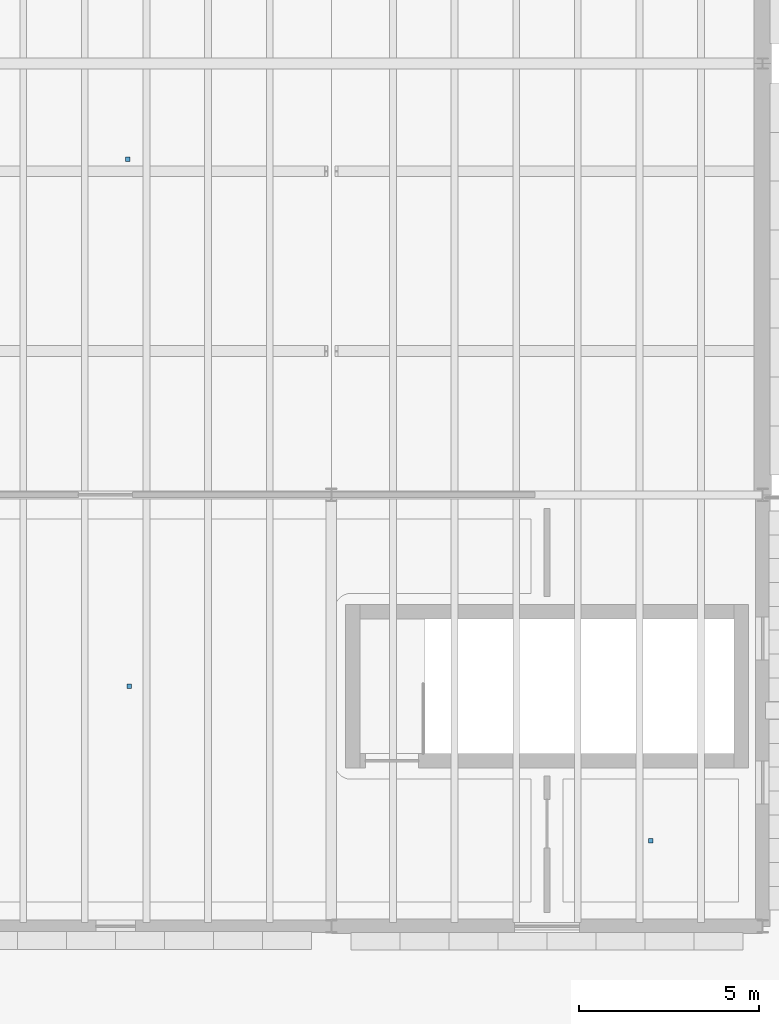
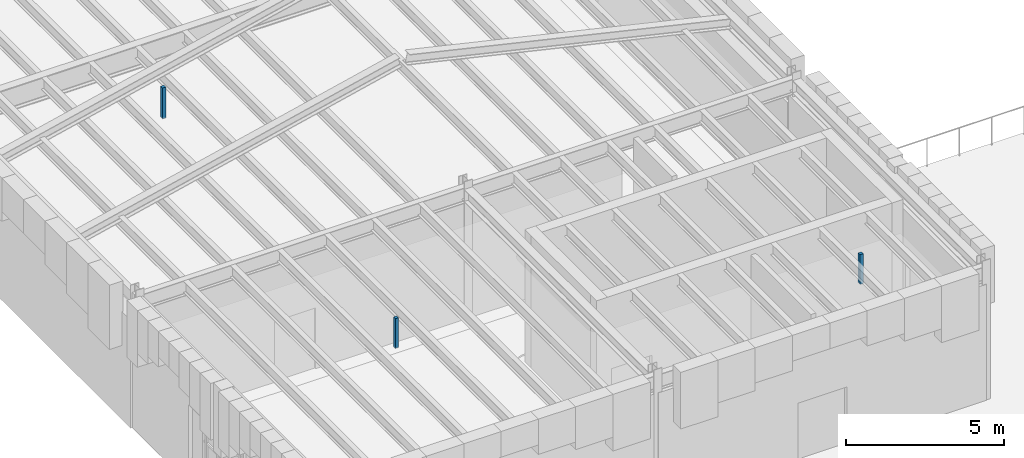
# One storey, part 63 of 100: 3 discrete accessories.
"""IFC4 building model written with IfcOpenShell, lengths in metres."""

from ifc_helpers import new_model, si_unit, direction, frame, origin, origin_2d, place, context, subcontext, project, spatial, rectangle, extrude, material, type_object, element, save


model = new_model("IFC4")

# Units and contexts
model_context = context("Model", 3, precision=1e-05, world=origin(), true_north=direction((0.0, 1.0)))
body_context = subcontext(model_context, "Body", "Model", "MODEL_VIEW")
ifc_project = project(units=[si_unit("LENGTHUNIT", "METRE"), si_unit("AREAUNIT", "SQUARE_METRE"), si_unit("VOLUMEUNIT", "CUBIC_METRE"), si_unit("PLANEANGLEUNIT", "RADIAN"), si_unit("MASSUNIT", "GRAM", prefix="KILO")], contexts=[model_context])

# Site, building, storey
site_placement = place(None, origin())
site = spatial("IfcSite", under=ifc_project, at=site_placement, CompositionType="ELEMENT")
building_placement = place(site_placement, origin())
building = spatial("IfcBuilding", under=site, at=building_placement, Name="Zlatogorsky Bluff Art Gallery", CompositionType="ELEMENT")
storey_placement = place(building_placement, frame((0.0, 0.0, 5.39990234375)))
storey = spatial("IfcBuildingStorey", under=building, at=storey_placement, Name="L01", CompositionType="ELEMENT", Elevation=5.39990234375)

# Discrete accessories
ifc_material = material(Name="Steel S355", Category="steel")
discrete_accessory_type = type_object("IfcDiscreteAccessoryType", Name="Stainless Facade Fin Bracket BRK-01", PredefinedType="BRACKET", material=ifc_material)
for number, where, z_axis, x_axis, name in (
    (1, (6.3798828125, 21.074951171875, 4.05517578125), (0.0, 0.0, 1.0), (1.0, 0.0, 0.0), "Acoustic ceiling suspension hanger L01-G1-11"),
    (2, (20.889892578125, 16.780029296875, 4.05517578125), (0.0, 0.0, 1.0), (1.0, 0.0, 0.0), "Acoustic ceiling suspension hanger L01-G1-12"),
):
    element("IfcDiscreteAccessory", number, at=place(storey_placement, frame(where, z_axis=z_axis, x_axis=x_axis)), inside=storey, type_object=discrete_accessory_type, Name=name, PredefinedType="BRACKET", context=body_context, shape_type="SweptSolid", body=[
        extrude(rectangle(XDim=0.1201171875, YDim=0.1201171875, at=origin_2d()), origin(), (0.0, 0.0, 1.0), 1.14990234375),
    ])
discrete_accessory_placement = place(storey_placement, frame((6.3349609375, 35.735107421875, 4.05517578125), z_axis=(0.0, 0.0, 1.0), x_axis=(1.0, 0.0, 0.0)))
element("IfcDiscreteAccessory", 3, at=discrete_accessory_placement, inside=storey, type_object=discrete_accessory_type, Name="Acoustic ceiling suspension hanger L01-A1", PredefinedType="BRACKET", context=body_context, shape_type="SweptSolid", body=[
    extrude(rectangle(XDim=0.1201171875, YDim=0.1201171875, at=origin_2d()), origin(), (0.0, 0.0, 1.0), 1.18994140625),
])

save(model, "model.ifc")
